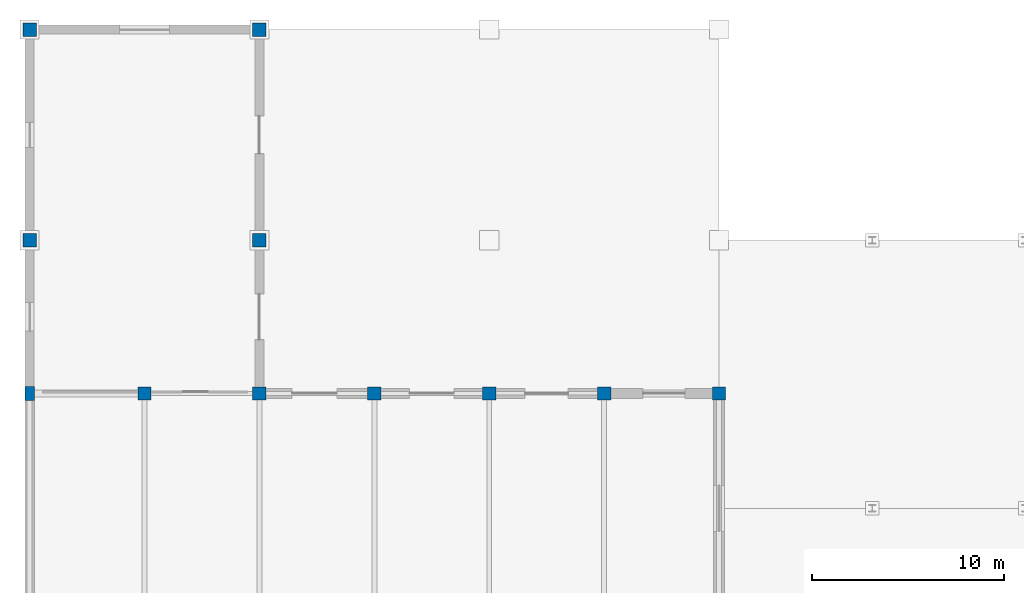
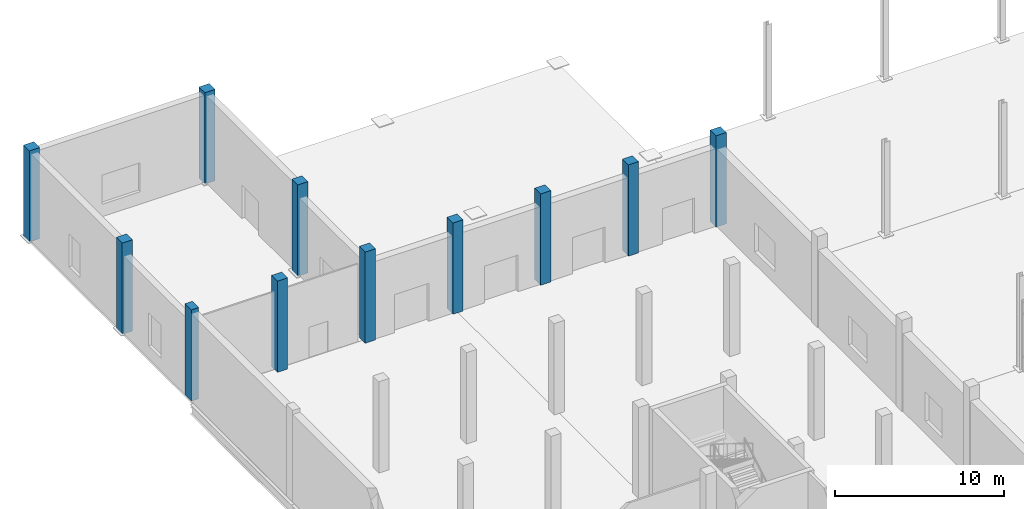
# One storey, part 11 of 140: 11 columns.
"""IFC4 building model written with IfcOpenShell, lengths in metres."""

from ifc_helpers import new_model, si_unit, direction, frame, origin, origin_2d, place, context, subcontext, project, spatial, rectangle, extrude, material, material_profile, profile_set, type_object, element, save


model = new_model("IFC4")

# Units and contexts
model_context = context("Model", 3, precision=1e-05, world=origin(), true_north=direction((0.0, 1.0)))
body_context = subcontext(model_context, "Body", "Model", "MODEL_VIEW")
ifc_project = project(units=[si_unit("LENGTHUNIT", "METRE"), si_unit("AREAUNIT", "SQUARE_METRE"), si_unit("VOLUMEUNIT", "CUBIC_METRE"), si_unit("PLANEANGLEUNIT", "RADIAN"), si_unit("MASSUNIT", "GRAM", prefix="KILO")], contexts=[model_context])

# Site, building, storey
site_placement = place(None, origin())
site = spatial("IfcSite", under=ifc_project, at=site_placement, CompositionType="ELEMENT")
building_placement = place(site_placement, origin())
building = spatial("IfcBuilding", under=site, at=building_placement, Name="Verrall Gate Interchange", CompositionType="ELEMENT")
storey_placement = place(building_placement, origin())
storey = spatial("IfcBuildingStorey", under=building, at=storey_placement, Name="L01", CompositionType="ELEMENT", Elevation=0.0)

# Columns
ifc_material_1 = material(Name="Concrete CSA A23.1 40 MPa (Class N)", Category="concrete")
ifc_material_profile_1 = material_profile(ifc_material_1, rectangle(XDim=0.699951171875, YDim=0.699951171875, at=origin_2d()), Name="RC700x700")
ifc_profile_set_1 = profile_set([ifc_material_profile_1], Name="Concrete CSA A23.1 40 MPa (Class N)")
column_type_1 = type_object("IfcColumnType", Name="C-03 Column RC700x700", PredefinedType="COLUMN", material=ifc_profile_set_1)
for number, where, z_axis, x_axis, name in (
    (1, (6.0, 96.0, 0.0), (0.0, 0.0, 1.0), (1.0, 0.0, 0.0), "L01 Column COL-L01-0244 (C-03)"),
    (2, (12.0, 96.0, 0.0), (0.0, 0.0, 1.0), (1.0, 0.0, 0.0), "L01 Column COL-L01-0361 (C-03)"),
    (3, (18.0, 96.0, 0.0), (0.0, 0.0, 1.0), (1.0, 0.0, 0.0), "L01 Column COL-L01-0478 (C-03)"),
    (4, (24.0, 96.0, 0.0), (0.0, 0.0, 1.0), (1.0, 0.0, 0.0), "L01 Column COL-L01-0595 (C-03)"),
    (5, (30.0, 96.0, 0.0), (0.0, 0.0, 1.0), (1.0, 0.0, 0.0), "L01 Column COL-L01-0712 (C-03)"),
    (6, (36.0, 96.0, 0.0), (0.0, 0.0, 1.0), (1.0, 0.0, 0.0), "L01 Column COL-L01-0822 (C-03)"),
    (7, (0.0, 104.0, 0.0), (0.0, 0.0, 1.0), (1.0, 0.0, 0.0), "North Dispatch Column 1650"),
    (8, (12.0, 104.0, 0.0), (0.0, 0.0, 1.0), (1.0, 0.0, 0.0), "North Dispatch Column 1652"),
    (9, (0.0, 115.0, 0.0), (0.0, 0.0, 1.0), (1.0, 0.0, 0.0), "North Dispatch Column 1654"),
    (10, (12.0, 115.0, 0.0), (0.0, 0.0, 1.0), (1.0, 0.0, 0.0), "North Dispatch Column 1656"),
):
    element("IfcColumn", number, at=place(storey_placement, frame(where, z_axis=z_axis, x_axis=x_axis)), inside=storey, type_object=column_type_1, Name=name, PredefinedType="COLUMN", context=body_context, shape_type="SweptSolid", body=[
        extrude(rectangle(XDim=0.699951171875, YDim=0.699951171875, at=origin_2d()), origin(), (0.0, 0.0, 1.0), 6.60009765625),
    ])
ifc_material_2 = material(Name="Concrete CSA A23.1 40 MPa (Class C-1)", Category="concrete")
ifc_material_profile_2 = material_profile(ifc_material_2, rectangle(XDim=0.5, YDim=0.75, at=origin_2d()), Name="RC500x750")
ifc_profile_set_2 = profile_set([ifc_material_profile_2], Name="Concrete CSA A23.1 40 MPa (Class C-1)")
column_type_2 = type_object("IfcColumnType", Name="C-05 Pilaster RC500x750", PredefinedType="PILASTER", material=ifc_profile_set_2)
column_placement = place(storey_placement, frame((0.0, 96.0, 0.0), z_axis=(0.0, 0.0, 1.0), x_axis=(1.0, 0.0, 0.0)))
element("IfcColumn", 11, at=column_placement, inside=storey, type_object=column_type_2, Name="L01 Column COL-L01-0099 (C-05)", PredefinedType="PILASTER", context=body_context, shape_type="SweptSolid", body=[
    extrude(rectangle(XDim=0.5, YDim=0.75, at=origin_2d()), origin(), (0.0, 0.0, 1.0), 6.60009765625),
])

save(model, "model.ifc")
